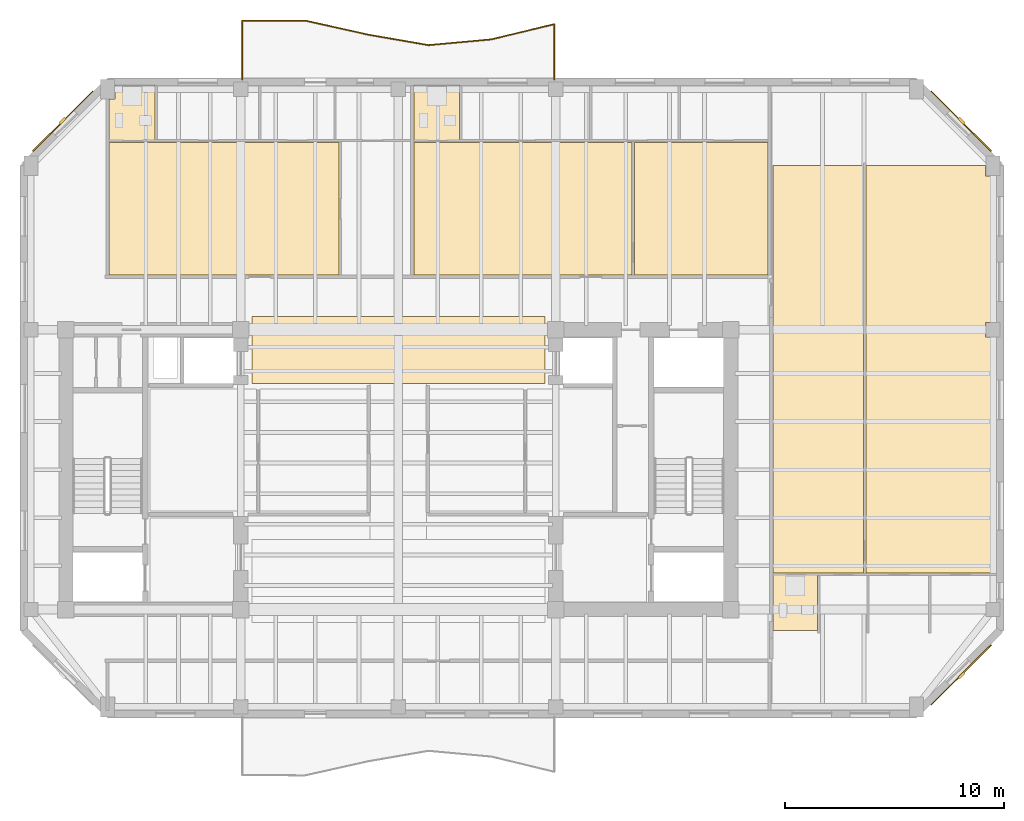
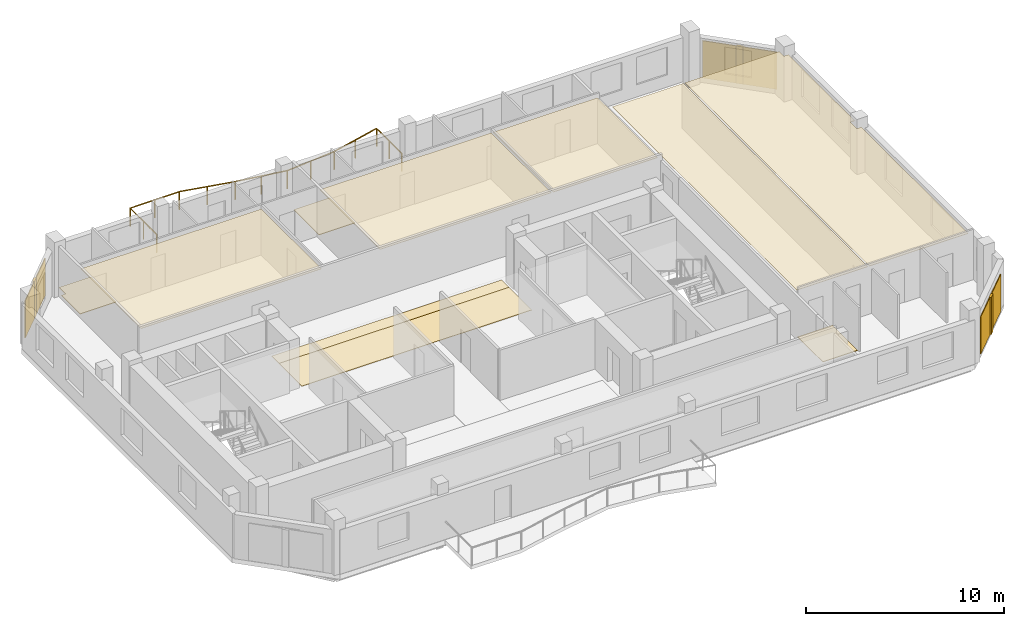
# One storey, part 8 of 9: 13 coverings, 3 shading devices, 1 railing.
"""IFC4 building model written with IfcOpenShell, lengths in metres."""

from ifc_helpers import new_model, si_unit, direction, frame, origin, origin_2d, place, context, subcontext, project, spatial, polyline, rectangle, circle, outline, extrude, material, layer, layer_set, type_object, element, save


model = new_model("IFC4")

# Units and contexts
model_context = context("Model", 3, precision=1e-05, world=origin(), true_north=direction((0.0, 1.0)))
body_context = subcontext(model_context, "Body", "Model", "MODEL_VIEW")
ifc_project = project(units=[si_unit("LENGTHUNIT", "METRE"), si_unit("AREAUNIT", "SQUARE_METRE"), si_unit("VOLUMEUNIT", "CUBIC_METRE"), si_unit("PLANEANGLEUNIT", "RADIAN"), si_unit("MASSUNIT", "GRAM", prefix="KILO")], contexts=[model_context])

# Site, building, storey
site_placement = place(None, origin())
site = spatial("IfcSite", under=ifc_project, at=site_placement, CompositionType="ELEMENT")
building_placement = place(site_placement, origin())
building = spatial("IfcBuilding", under=site, at=building_placement, Name="Kranthara Brick Stack", CompositionType="ELEMENT")
storey_placement = place(building_placement, frame((0.0, 0.0, 255.10009765625)))
storey = spatial("IfcBuildingStorey", under=building, at=storey_placement, Name="L67", CompositionType="ELEMENT", Elevation=255.10009765625)

# Coverings
ifc_material_1 = material(Name="Perforated mineral-fibre acoustic ceiling tile", Category="other")
ifc_layer_1 = layer(ifc_material_1, 0.02490234375)
ifc_layer_set_1 = layer_set([ifc_layer_1], Name="Perforated mineral-fibre acoustic ceiling tile")
covering_type_1 = type_object("IfcCoveringType", Name="COV-CEIL-ACOUSTIC", PredefinedType="CEILING", material=ifc_layer_set_1)
covering_1_placement = place(storey_placement, frame((0.0, 0.0, 2.829833984375)))
element("IfcCovering", 1, at=covering_1_placement, inside=storey, type_object=covering_type_1, Name="L67 Unit L67A 3-Bed Apartment Living Dining Acoustic Ceiling", PredefinedType="CEILING", context=body_context, shape_type="SweptSolid", body=[
    extrude(outline(polyline([(25.299072265625, 36.10009765625), (25.299072265625, 42.169921875), (14.780029296875, 42.169921875), (14.780029296875, 36.10009765625), (25.299072265625, 36.10009765625)])), origin(), (0.0, 0.0, 1.0), 0.025146484375),
])
covering_2_placement = place(storey_placement, frame((0.0, 0.0, 2.829833984375)))
element("IfcCovering", 2, at=covering_2_placement, inside=storey, type_object=covering_type_1, Name="L67 Unit L67B 2-Bed Apartment Living Dining Acoustic Ceiling", PredefinedType="CEILING", context=body_context, shape_type="SweptSolid", body=[
    extrude(outline(polyline([(38.697021484375, 36.10009765625), (38.697021484375, 42.169921875), (28.708984375, 42.169921875), (28.708984375, 36.10009765625), (38.697021484375, 36.10009765625)])), origin(), (0.0, 0.0, 1.0), 0.025146484375),
])
covering_3_placement = place(storey_placement, frame((0.0, 0.0, 2.829833984375)))
element("IfcCovering", 3, at=covering_3_placement, inside=storey, type_object=covering_type_1, Name="L67 Unit L67B Private Study Room Acoustic Ceiling", PredefinedType="CEILING", context=body_context, shape_type="SweptSolid", body=[
    extrude(outline(polyline([(44.89990234375, 36.10009765625), (44.89990234375, 42.169921875), (38.797119140625, 42.169921875), (38.797119140625, 36.10009765625), (44.89990234375, 36.10009765625)])), origin(), (0.0, 0.0, 1.0), 0.025146484375),
])
covering_4_placement = place(storey_placement, frame((0.0, 0.0, 2.829833984375)))
element("IfcCovering", 4, at=covering_4_placement, inside=storey, type_object=covering_type_1, Name="L67 Unit L67C 2-Bed Apartment Living Dining Acoustic Ceiling", PredefinedType="CEILING", context=body_context, shape_type="SweptSolid", body=[
    extrude(outline(polyline([(49.279052734375, 22.47998046875), (49.279052734375, 41.10009765625), (45.139892578125, 41.10009765625), (45.139892578125, 22.47998046875), (49.279052734375, 22.47998046875)])), origin(), (0.0, 0.0, 1.0), 0.025146484375),
])
covering_5_placement = place(storey_placement, frame((0.0, 0.0, 2.829833984375)))
element("IfcCovering", 5, at=covering_5_placement, inside=storey, type_object=covering_type_1, Name="L67 Unit L67C Private Study Room Acoustic Ceiling", PredefinedType="CEILING", context=body_context, shape_type="SweptSolid", body=[
    extrude(outline(polyline([(49.37890625, 22.47998046875), (49.37890625, 41.10009765625), (54.864990234375, 41.10009765625), (54.864990234375, 40.639892578125), (55.1298828125, 40.639892578125), (55.1298828125, 33.93505859375), (54.864990234375, 33.93505859375), (54.864990234375, 33.264892578125), (55.1298828125, 33.264892578125), (55.1298828125, 22.47998046875), (49.37890625, 22.47998046875)])), origin(), (0.0, 0.0, 1.0), 0.025146484375),
])
ifc_material_2 = material(Name="Warm buff kiln-fired brick slip rainscreen", Category="masonry")
ifc_layer_2 = layer(ifc_material_2, 0.044921875)
ifc_layer_set_2 = layer_set([ifc_layer_2], Name="Warm buff kiln-fired brick slip rainscreen")
covering_type_2 = type_object("IfcCoveringType", Name="COV-CLAD-BRICK", PredefinedType="CLADDING", material=ifc_layer_set_2)
for number, where, z_axis, x_axis, name in (
    (6, (12.66259765625, 43.13720703125, 0.0498046875), (0.0, 0.0, 1.0), (0.707106781187, 0.707106781187, 0.0), "L67 Chamfer Brick Rainscreen Cladding NW"),
    (7, (53.7373046875, 43.13720703125, 0.0498046875), (0.0, 0.0, 1.0), (0.707106781187, -0.707106781187, 0.0), "L67 Chamfer Brick Rainscreen Cladding NE"),
    (8, (53.7373046875, 17.812744140625, 0.0498046875), (0.0, 0.0, 1.0), (-0.707106781187, -0.707106781187, 0.0), "L67 Chamfer Brick Rainscreen Cladding SE"),
):
    element("IfcCovering", number, at=place(storey_placement, frame(where, z_axis=z_axis, x_axis=x_axis)), inside=storey, type_object=covering_type_2, Name=name, PredefinedType="CLADDING", context=body_context, shape_type="SweptSolid", body=[
        extrude(rectangle(XDim=3.889892578125, YDim=0.044921875, at=origin_2d()), origin(), (0.0, 0.0, 1.0), 2.300048828125),
    ])
ifc_material_3 = material(Name="Honed terrazzo and porcelain floor finish", Category="stone")
ifc_layer_3 = layer(ifc_material_3, 0.030029296875)
ifc_layer_set_3 = layer_set([ifc_layer_3], Name="Honed terrazzo and porcelain floor finish")
covering_type_3 = type_object("IfcCoveringType", Name="COV-FLOR-STONE", PredefinedType="FLOORING", material=ifc_layer_set_3)
covering_6_placement = place(storey_placement, origin())
element("IfcCovering", 9, at=covering_6_placement, inside=storey, type_object=covering_type_3, Name="L67 Lift Lobby Stone Flooring", PredefinedType="FLOORING", context=body_context, shape_type="SweptSolid", body=[
    extrude(outline(polyline([(34.699951171875, 31.14990234375), (34.699951171875, 33.449951171875), (21.300048828125, 33.449951171875), (21.300048828125, 31.14990234375), (34.699951171875, 31.14990234375)])), origin(), (0.0, 0.0, 1.0), 0.02978515625),
])
covering_7_placement = place(storey_placement, origin())
element("IfcCovering", 10, at=covering_7_placement, inside=storey, type_object=covering_type_3, Name="L67 Lift Lobby Stone Flooring", PredefinedType="FLOORING", context=body_context, shape_type="SweptSolid", body=[
    extrude(outline(polyline([(34.699951171875, 33.449951171875), (21.300048828125, 33.449951171875), (21.300048828125, 34.199951171875), (34.699951171875, 34.199951171875), (34.699951171875, 33.449951171875)])), origin(), (0.0, 0.0, 1.0), 0.02978515625),
])
covering_8_placement = place(storey_placement, origin())
element("IfcCovering", 11, at=covering_8_placement, inside=storey, type_object=covering_type_3, Name="L67 Wet Room Porcelain Flooring", PredefinedType="FLOORING", context=body_context, shape_type="SweptSolid", body=[
    extrude(outline(polyline([(16.8798828125, 44.800048828125), (16.8798828125, 42.25), (14.780029296875, 42.25), (14.780029296875, 44.139892578125), (15.034912109375, 44.139892578125), (15.034912109375, 44.800048828125), (16.8798828125, 44.800048828125)])), origin(), (0.0, 0.0, 1.0), 0.02978515625),
])
covering_9_placement = place(storey_placement, origin())
element("IfcCovering", 12, at=covering_9_placement, inside=storey, type_object=covering_type_3, Name="L67 Wet Room Porcelain Flooring", PredefinedType="FLOORING", context=body_context, shape_type="SweptSolid", body=[
    extrude(outline(polyline([(30.80908203125, 42.25), (30.80908203125, 44.800048828125), (28.708984375, 44.800048828125), (28.708984375, 42.25), (30.80908203125, 42.25)])), origin(), (0.0, 0.0, 1.0), 0.02978515625),
])
covering_10_placement = place(storey_placement, origin())
element("IfcCovering", 13, at=covering_10_placement, inside=storey, type_object=covering_type_3, Name="L67 Wet Room Porcelain Flooring", PredefinedType="FLOORING", context=body_context, shape_type="SweptSolid", body=[
    extrude(outline(polyline([(47.174072265625, 19.85009765625), (47.174072265625, 22.39990234375), (45.139892578125, 22.39990234375), (45.139892578125, 19.85009765625), (47.174072265625, 19.85009765625)])), origin(), (0.0, 0.0, 1.0), 0.02978515625),
])

# Railing
ifc_material_4 = material(Name="Bronze anodised aluminium and laminated glass balustrade", Category="aluminium")
railing_type = type_object("IfcRailingType", Name="RL-BALC-1120", PredefinedType="BALUSTRADE", material=ifc_material_4)
railing_placement = place(storey_placement, frame((20.860107421875, 45.0400390625, 0.0)))
element("IfcRailing", 14, at=railing_placement, inside=storey, type_object=railing_type, Name="L67 North Rippling Balcony Balustrade", PredefinedType="BALUSTRADE", context=body_context, shape_type="SweptSolid", body=[
    extrude(circle(Radius=0.02392578125, at=origin_2d()), frame((0.0, 0.0, 1.09619140625), z_axis=(-0.000273049958, 0.999999962722, 0.0), x_axis=(-0.999999962722, -0.000273049958, 0.0)), (0.0, 0.0, 1.0), 2.682373046875),
    extrude(circle(Radius=0.02392578125, at=origin_2d()), frame((-0.000732421875, 2.682373046875, 1.09619140625), z_axis=(0.999981359914, 0.006105720651, 0.0), x_axis=(-0.006105720651, 0.999981359914, 0.0)), (0.0, 0.0, 1.0), 2.87890625),
    extrude(circle(Radius=0.02392578125, at=origin_2d()), frame((2.878173828125, 2.699951171875, 1.09619140625), z_axis=(0.975943086795, -0.218025437364, 0.0), x_axis=(0.218025437364, 0.975943086795, 0.0)), (0.0, 0.0, 1.0), 2.95068359375),
    extrude(circle(Radius=0.02392578125, at=origin_2d()), frame((5.7578125, 2.056640625, 1.09619140625), z_axis=(0.985265394776, -0.171032458489, 0.0), x_axis=(0.171032458489, 0.985265394776, 0.0)), (0.0, 0.0, 1.0), 2.803466796875),
    extrude(circle(Radius=0.02392578125, at=origin_2d()), frame((8.52001953125, 1.5771484375, 1.09619140625), z_axis=(0.995827206472, 0.091258834367, 0.0), x_axis=(-0.091258834367, 0.995827206472, 0.0)), (0.0, 0.0, 1.0), 2.891845703125),
    extrude(circle(Radius=0.02392578125, at=origin_2d()), frame((11.39990234375, 1.841064453125, 1.09619140625), z_axis=(0.972040720521, 0.234812345608, 0.0), x_axis=(-0.234812345608, 0.972040720521, 0.0)), (0.0, 0.0, 1.0), 2.963134765625),
    extrude(circle(Radius=0.02392578125, at=origin_2d()), frame((14.2802734375, 2.536865234375, 1.09619140625), z_axis=(-0.000192474253, -0.999999981477, 0.0), x_axis=(0.999999981477, -0.000192474253, 0.0)), (0.0, 0.0, 1.0), 2.536865234375),
    extrude(circle(Radius=0.02099609375, at=origin_2d()), origin(), (0.0, 0.0, 1.0), 1.072021484375),
    extrude(circle(Radius=0.02099609375, at=origin_2d()), frame((-0.00048828125, 1.34130859375, 0.0)), (0.0, 0.0, 1.0), 1.072021484375),
    extrude(circle(Radius=0.02099609375, at=origin_2d()), frame((-0.000732421875, 2.682373046875, 0.0)), (0.0, 0.0, 1.0), 1.072021484375),
    extrude(circle(Radius=0.02099609375, at=origin_2d()), frame((1.438720703125, 2.691162109375, 0.0)), (0.0, 0.0, 1.0), 1.072021484375),
    extrude(circle(Radius=0.02099609375, at=origin_2d()), frame((2.878173828125, 2.699951171875, 0.0)), (0.0, 0.0, 1.0), 1.072021484375),
    extrude(circle(Radius=0.02099609375, at=origin_2d()), frame((4.31787109375, 2.37841796875, 0.0)), (0.0, 0.0, 1.0), 1.072021484375),
    extrude(circle(Radius=0.02099609375, at=origin_2d()), frame((5.7578125, 2.056640625, 0.0)), (0.0, 0.0, 1.0), 1.072021484375),
    extrude(circle(Radius=0.02099609375, at=origin_2d()), frame((7.138916015625, 1.81689453125, 0.0)), (0.0, 0.0, 1.0), 1.072021484375),
    extrude(circle(Radius=0.02099609375, at=origin_2d()), frame((8.52001953125, 1.5771484375, 0.0)), (0.0, 0.0, 1.0), 1.072021484375),
    extrude(circle(Radius=0.02099609375, at=origin_2d()), frame((9.9599609375, 1.708984375, 0.0)), (0.0, 0.0, 1.0), 1.072021484375),
    extrude(circle(Radius=0.02099609375, at=origin_2d()), frame((11.39990234375, 1.841064453125, 0.0)), (0.0, 0.0, 1.0), 1.072021484375),
    extrude(circle(Radius=0.02099609375, at=origin_2d()), frame((12.840087890625, 2.18896484375, 0.0)), (0.0, 0.0, 1.0), 1.072021484375),
    extrude(circle(Radius=0.02099609375, at=origin_2d()), frame((14.2802734375, 2.536865234375, 0.0)), (0.0, 0.0, 1.0), 1.072021484375),
    extrude(circle(Radius=0.02099609375, at=origin_2d()), frame((14.280029296875, 1.2685546875, 0.0)), (0.0, 0.0, 1.0), 1.072021484375),
    extrude(circle(Radius=0.02099609375, at=origin_2d()), frame((14.27978515625, 0.0, 0.0)), (0.0, 0.0, 1.0), 1.072021484375),
])

# Shading devices
ifc_material_5 = material(Name="Kiln-fired terracotta aerodynamic wind fin", Category="masonry")
shading_device_type = type_object("IfcShadingDeviceType", Name="SHD-BAFFLE-CORNER", PredefinedType="SHUTTER", material=ifc_material_5)
for number, where, z_axis, x_axis, name in (
    (15, (12.6416015625, 43.158447265625, 0.0498046875), (0.0, 0.0, 1.0), (0.707106781187, 0.707106781187, 0.0), "L67 Chamfer Wind-Baffle Fin NW"),
    (16, (53.758544921875, 43.158447265625, 0.0498046875), (0.0, 0.0, 1.0), (0.707106781187, -0.707106781187, 0.0), "L67 Chamfer Wind-Baffle Fin NE"),
    (17, (53.758544921875, 17.79150390625, 0.0498046875), (0.0, 0.0, 1.0), (-0.707106781187, -0.707106781187, 0.0), "L67 Chamfer Wind-Baffle Fin SE"),
):
    element("IfcShadingDevice", number, at=place(storey_placement, frame(where, z_axis=z_axis, x_axis=x_axis)), inside=storey, type_object=shading_device_type, Name=name, PredefinedType="SHUTTER", context=body_context, shape_type="SweptSolid", body=[
        extrude(rectangle(XDim=0.35009765625, YDim=0.1201171875, at=origin_2d()), origin(), (0.0, 0.0, 1.0), 2.300048828125),
    ])

save(model, "model.ifc")
